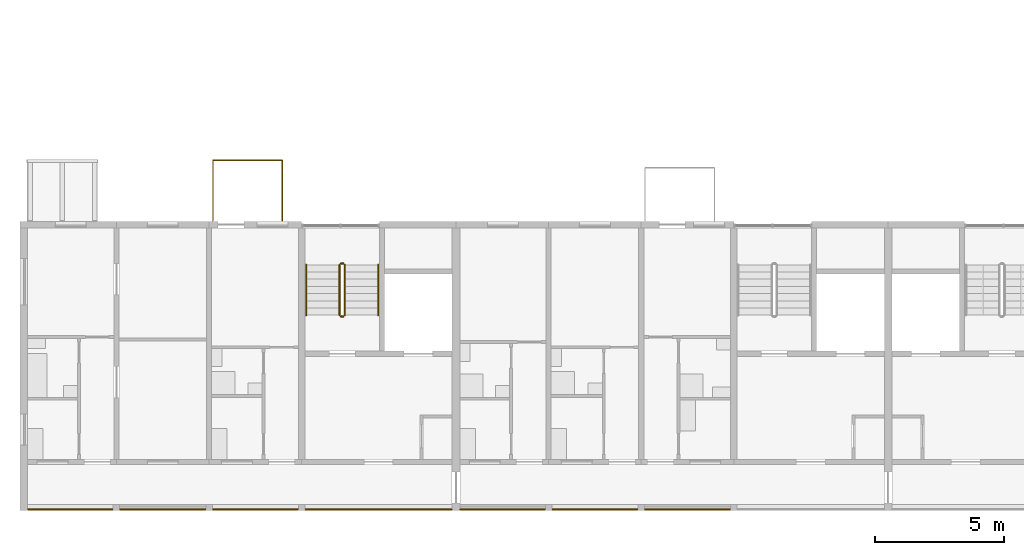
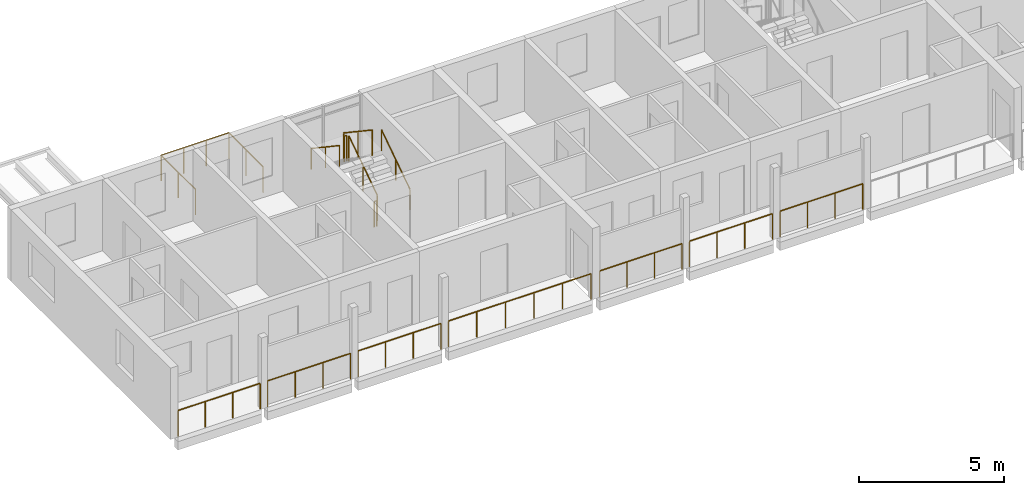
# One storey, part 72 of 94: 14 railings.
"""IFC4 building model written with IfcOpenShell, lengths in metres."""

from ifc_helpers import new_model, si_unit, direction, frame, origin, origin_2d, place, context, subcontext, project, spatial, circle, extrude, material, type_object, element, save


model = new_model("IFC4")

# Units and contexts
model_context = context("Model", 3, precision=1e-05, world=origin(), true_north=direction((0.0, 1.0)))
body_context = subcontext(model_context, "Body", "Model", "MODEL_VIEW")
ifc_project = project(units=[si_unit("LENGTHUNIT", "METRE"), si_unit("AREAUNIT", "SQUARE_METRE"), si_unit("VOLUMEUNIT", "CUBIC_METRE"), si_unit("PLANEANGLEUNIT", "RADIAN"), si_unit("MASSUNIT", "GRAM", prefix="KILO")], contexts=[model_context])

# Site, building, storey
site_placement = place(None, origin())
site = spatial("IfcSite", under=ifc_project, at=site_placement, CompositionType="ELEMENT")
building_placement = place(site_placement, origin())
building = spatial("IfcBuilding", under=site, at=building_placement, Name="Ridgestep Commons", CompositionType="ELEMENT")
storey_placement = place(building_placement, frame((0.0, 0.0, 21.0)))
storey = spatial("IfcBuildingStorey", under=building, at=storey_placement, Name="L07", CompositionType="ELEMENT", Elevation=21.0)

# Railings
ifc_material_1 = material(Name="Structural steel S355JR", Category="steel")
railing_type_1 = type_object("IfcRailingType", Name="Guard 1100", PredefinedType="GUARDRAIL", material=ifc_material_1)
railing_1_placement = place(storey_placement, frame((12.1708984375, 11.800048828125, 0.0)))
element("IfcRailing", 1, at=railing_1_placement, inside=storey, type_object=railing_type_1, Name="Gallery guard A 07.1", PredefinedType="GUARDRAIL", context=body_context, shape_type="SweptSolid", body=[
    extrude(circle(Radius=0.02392578125, at=origin_2d()), frame((0.0, 0.0, 1.076171875), z_axis=(1.0, 0.0, 0.0), x_axis=(0.0, 1.0, 0.0)), (0.0, 0.0, 1.0), 3.283203125),
    extrude(circle(Radius=0.02099609375, at=origin_2d()), origin(), (0.0, 0.0, 1.0), 1.052001953125),
    extrude(circle(Radius=0.02099609375, at=origin_2d()), frame((1.094482421875, 0.0, 0.0)), (0.0, 0.0, 1.0), 1.052001953125),
    extrude(circle(Radius=0.02099609375, at=origin_2d()), frame((2.188720703125, 0.0, 0.0)), (0.0, 0.0, 1.0), 1.052001953125),
    extrude(circle(Radius=0.02099609375, at=origin_2d()), frame((3.283203125, 0.0, 0.0)), (0.0, 0.0, 1.0), 1.052001953125),
])
railing_2_placement = place(storey_placement, frame((15.74609375, 11.800048828125, 0.0)))
element("IfcRailing", 2, at=railing_2_placement, inside=storey, type_object=railing_type_1, Name="Gallery guard A 07.2", PredefinedType="GUARDRAIL", context=body_context, shape_type="SweptSolid", body=[
    extrude(circle(Radius=0.02392578125, at=origin_2d()), frame((0.0, 0.0, 1.076171875), z_axis=(1.0, 0.0, 0.0), x_axis=(0.0, 1.0, 0.0)), (0.0, 0.0, 1.0), 3.307861328125),
    extrude(circle(Radius=0.02099609375, at=origin_2d()), origin(), (0.0, 0.0, 1.0), 1.052001953125),
    extrude(circle(Radius=0.02099609375, at=origin_2d()), frame((1.1025390625, 0.0, 0.0)), (0.0, 0.0, 1.0), 1.052001953125),
    extrude(circle(Radius=0.02099609375, at=origin_2d()), frame((2.205322265625, 0.0, 0.0)), (0.0, 0.0, 1.0), 1.052001953125),
    extrude(circle(Radius=0.02099609375, at=origin_2d()), frame((3.307861328125, 0.0, 0.0)), (0.0, 0.0, 1.0), 1.052001953125),
])
railing_3_placement = place(storey_placement, frame((19.345947265625, 11.800048828125, 0.0)))
element("IfcRailing", 3, at=railing_3_placement, inside=storey, type_object=railing_type_1, Name="Gallery guard A 07.3", PredefinedType="GUARDRAIL", context=body_context, shape_type="SweptSolid", body=[
    extrude(circle(Radius=0.02392578125, at=origin_2d()), frame((0.0, 0.0, 1.076171875), z_axis=(1.0, 0.0, 0.0), x_axis=(0.0, 1.0, 0.0)), (0.0, 0.0, 1.0), 3.30810546875),
    extrude(circle(Radius=0.02099609375, at=origin_2d()), origin(), (0.0, 0.0, 1.0), 1.052001953125),
    extrude(circle(Radius=0.02099609375, at=origin_2d()), frame((1.102783203125, 0.0, 0.0)), (0.0, 0.0, 1.0), 1.052001953125),
    extrude(circle(Radius=0.02099609375, at=origin_2d()), frame((2.205322265625, 0.0, 0.0)), (0.0, 0.0, 1.0), 1.052001953125),
    extrude(circle(Radius=0.02099609375, at=origin_2d()), frame((3.30810546875, 0.0, 0.0)), (0.0, 0.0, 1.0), 1.052001953125),
])
railing_4_placement = place(storey_placement, frame((22.946044921875, 11.800048828125, 0.0)))
element("IfcRailing", 4, at=railing_4_placement, inside=storey, type_object=railing_type_1, Name="Gallery guard A 07.4", PredefinedType="GUARDRAIL", context=body_context, shape_type="SweptSolid", body=[
    extrude(circle(Radius=0.02392578125, at=origin_2d()), frame((0.0, 0.0, 1.076171875), z_axis=(1.0, 0.0, 0.0), x_axis=(0.0, 1.0, 0.0)), (0.0, 0.0, 1.0), 5.682861328125),
    extrude(circle(Radius=0.02099609375, at=origin_2d()), origin(), (0.0, 0.0, 1.0), 1.052001953125),
    extrude(circle(Radius=0.02099609375, at=origin_2d()), frame((1.136474609375, 0.0, 0.0)), (0.0, 0.0, 1.0), 1.052001953125),
    extrude(circle(Radius=0.02099609375, at=origin_2d()), frame((2.273193359375, 0.0, 0.0)), (0.0, 0.0, 1.0), 1.052001953125),
    extrude(circle(Radius=0.02099609375, at=origin_2d()), frame((3.40966796875, 0.0, 0.0)), (0.0, 0.0, 1.0), 1.052001953125),
    extrude(circle(Radius=0.02099609375, at=origin_2d()), frame((4.54638671875, 0.0, 0.0)), (0.0, 0.0, 1.0), 1.052001953125),
    extrude(circle(Radius=0.02099609375, at=origin_2d()), frame((5.682861328125, 0.0, 0.0)), (0.0, 0.0, 1.0), 1.052001953125),
])
railing_5_placement = place(storey_placement, frame((28.970947265625, 11.800048828125, 0.0)))
element("IfcRailing", 5, at=railing_5_placement, inside=storey, type_object=railing_type_1, Name="Gallery guard A 07.5", PredefinedType="GUARDRAIL", context=body_context, shape_type="SweptSolid", body=[
    extrude(circle(Radius=0.02392578125, at=origin_2d()), frame((0.0, 0.0, 1.076171875), z_axis=(1.0, 0.0, 0.0), x_axis=(0.0, 1.0, 0.0)), (0.0, 0.0, 1.0), 3.282958984375),
    extrude(circle(Radius=0.02099609375, at=origin_2d()), origin(), (0.0, 0.0, 1.0), 1.052001953125),
    extrude(circle(Radius=0.02099609375, at=origin_2d()), frame((1.09423828125, 0.0, 0.0)), (0.0, 0.0, 1.0), 1.052001953125),
    extrude(circle(Radius=0.02099609375, at=origin_2d()), frame((2.188720703125, 0.0, 0.0)), (0.0, 0.0, 1.0), 1.052001953125),
    extrude(circle(Radius=0.02099609375, at=origin_2d()), frame((3.282958984375, 0.0, 0.0)), (0.0, 0.0, 1.0), 1.052001953125),
])
for number, where, name in (
    (6, (32.5458984375, 11.800048828125, 0.0), "Gallery guard A 07.6"),
    (7, (36.14599609375, 11.800048828125, 0.0), "Gallery guard A 07.7"),
):
    element("IfcRailing", number, at=place(storey_placement, frame(where)), inside=storey, type_object=railing_type_1, Name=name, PredefinedType="GUARDRAIL", context=body_context, shape_type="SweptSolid", body=[
        extrude(circle(Radius=0.02392578125, at=origin_2d()), frame((0.0, 0.0, 1.076171875), z_axis=(1.0, 0.0, 0.0), x_axis=(0.0, 1.0, 0.0)), (0.0, 0.0, 1.0), 3.30810546875),
        extrude(circle(Radius=0.02099609375, at=origin_2d()), origin(), (0.0, 0.0, 1.0), 1.052001953125),
        extrude(circle(Radius=0.02099609375, at=origin_2d()), frame((1.102783203125, 0.0, 0.0)), (0.0, 0.0, 1.0), 1.052001953125),
        extrude(circle(Radius=0.02099609375, at=origin_2d()), frame((2.205322265625, 0.0, 0.0)), (0.0, 0.0, 1.0), 1.052001953125),
        extrude(circle(Radius=0.02099609375, at=origin_2d()), frame((3.30810546875, 0.0, 0.0)), (0.0, 0.0, 1.0), 1.052001953125),
    ])
ifc_material_2 = material(Name="Structural steel S355JR", Category="steel")
railing_type_2 = type_object("IfcRailingType", Name="Stair guard 1100", PredefinedType="GUARDRAIL", material=ifc_material_2)
railing_6_placement = place(storey_placement, frame((24.47509765625, 19.35009765625, 0.1875)))
element("IfcRailing", 8, at=railing_6_placement, inside=storey, type_object=railing_type_2, Name="L07 A1C stair guard 1", PredefinedType="GUARDRAIL", context=body_context, shape_type="SweptSolid", body=[
    extrude(circle(Radius=0.02392578125, at=origin_2d()), frame((0.0, 0.0, 1.076171875), z_axis=(0.0, 0.830902050051, 0.556418712142), x_axis=(-1.0, 0.0, 0.0)), (0.0, 0.0, 1.0), 2.35888671875),
    extrude(circle(Radius=0.02099609375, at=origin_2d()), origin(), (0.0, 0.0, 1.0), 1.052001953125),
    extrude(circle(Radius=0.02099609375, at=origin_2d()), frame((0.0, 0.97998046875, 0.65625)), (0.0, 0.0, 1.0), 1.052001953125),
    extrude(circle(Radius=0.02099609375, at=origin_2d()), frame((0.0, 1.9599609375, 1.3125)), (0.0, 0.0, 1.0), 1.052001953125),
])
railing_7_placement = place(storey_placement, frame((24.425048828125, 21.360107421875, 1.5)))
element("IfcRailing", 9, at=railing_7_placement, inside=storey, type_object=railing_type_2, Name="L07 A1C stair guard 2", PredefinedType="GUARDRAIL", context=body_context, shape_type="SweptSolid", body=[
    extrude(circle(Radius=0.02392578125, at=origin_2d()), frame((0.0, 0.0, 1.076171875), z_axis=(-1.0, 0.0, 0.0), x_axis=(0.0, -1.0, 0.0)), (0.0, 0.0, 1.0), 0.10009765625),
    extrude(circle(Radius=0.02099609375, at=origin_2d()), origin(), (0.0, 0.0, 1.0), 1.052001953125),
    extrude(circle(Radius=0.02099609375, at=origin_2d()), frame((-0.10009765625, 0.0, 0.0)), (0.0, 0.0, 1.0), 1.052001953125),
])
railing_8_placement = place(storey_placement, frame((24.27490234375, 21.31005859375, 1.6875)))
element("IfcRailing", 10, at=railing_8_placement, inside=storey, type_object=railing_type_2, Name="L07 A1C stair guard 3", PredefinedType="GUARDRAIL", context=body_context, shape_type="SweptSolid", body=[
    extrude(circle(Radius=0.02392578125, at=origin_2d()), frame((0.0, 0.0, 1.076171875), z_axis=(0.0, -0.830902050051, 0.556418712142), x_axis=(1.0, 0.0, 0.0)), (0.0, 0.0, 1.0), 2.35888671875),
    extrude(circle(Radius=0.02099609375, at=origin_2d()), origin(), (0.0, 0.0, 1.0), 1.052001953125),
    extrude(circle(Radius=0.02099609375, at=origin_2d()), frame((0.0, -0.97998046875, 0.65625)), (0.0, 0.0, 1.0), 1.052001953125),
    extrude(circle(Radius=0.02099609375, at=origin_2d()), frame((0.0, -1.9599609375, 1.3125)), (0.0, 0.0, 1.0), 1.052001953125),
])
railing_9_placement = place(storey_placement, frame((24.425048828125, 19.300048828125, 0.0)))
element("IfcRailing", 11, at=railing_9_placement, inside=storey, type_object=railing_type_2, Name="L07 A1C stair guard 4", PredefinedType="GUARDRAIL", context=body_context, shape_type="SweptSolid", body=[
    extrude(circle(Radius=0.02392578125, at=origin_2d()), frame((0.0, 0.0, 1.076171875), z_axis=(-1.0, 0.0, 0.0), x_axis=(0.0, -1.0, 0.0)), (0.0, 0.0, 1.0), 0.10009765625),
    extrude(circle(Radius=0.02099609375, at=origin_2d()), origin(), (0.0, 0.0, 1.0), 1.052001953125),
    extrude(circle(Radius=0.02099609375, at=origin_2d()), frame((-0.10009765625, 0.0, 0.0)), (0.0, 0.0, 1.0), 1.052001953125),
])
ifc_material_3 = material(Name="Structural steel S355JR", Category="steel")
railing_type_3 = type_object("IfcRailingType", Name="Stair handrail 900", PredefinedType="HANDRAIL", material=ifc_material_3)
railing_10_placement = place(storey_placement, frame((25.77490234375, 19.35009765625, 0.1875)))
element("IfcRailing", 12, at=railing_10_placement, inside=storey, type_object=railing_type_3, Name="L07 A1C stair handrail 1", PredefinedType="HANDRAIL", context=body_context, shape_type="SweptSolid", body=[
    extrude(circle(Radius=0.02392578125, at=origin_2d()), frame((0.0, 0.0, 0.8759765625), z_axis=(0.0, 0.830902050051, 0.556418712142), x_axis=(-1.0, 0.0, 0.0)), (0.0, 0.0, 1.0), 2.35888671875),
    extrude(circle(Radius=0.02099609375, at=origin_2d()), origin(), (0.0, 0.0, 1.0), 0.851806640625),
    extrude(circle(Radius=0.02099609375, at=origin_2d()), frame((0.0, 0.97998046875, 0.65625)), (0.0, 0.0, 1.0), 0.851806640625),
    extrude(circle(Radius=0.02099609375, at=origin_2d()), frame((0.0, 1.9599609375, 1.3125)), (0.0, 0.0, 1.0), 0.851806640625),
])
railing_11_placement = place(storey_placement, frame((22.97509765625, 21.31005859375, 1.6875)))
element("IfcRailing", 13, at=railing_11_placement, inside=storey, type_object=railing_type_3, Name="L07 A1C stair handrail 2", PredefinedType="HANDRAIL", context=body_context, shape_type="SweptSolid", body=[
    extrude(circle(Radius=0.02392578125, at=origin_2d()), frame((0.0, 0.0, 0.8759765625), z_axis=(0.0, -0.830902050051, 0.556418712142), x_axis=(1.0, 0.0, 0.0)), (0.0, 0.0, 1.0), 2.35888671875),
    extrude(circle(Radius=0.02099609375, at=origin_2d()), origin(), (0.0, 0.0, 1.0), 0.851806640625),
    extrude(circle(Radius=0.02099609375, at=origin_2d()), frame((0.0, -0.97998046875, 0.65625)), (0.0, 0.0, 1.0), 0.851806640625),
    extrude(circle(Radius=0.02099609375, at=origin_2d()), frame((0.0, -1.9599609375, 1.3125)), (0.0, 0.0, 1.0), 0.851806640625),
])
ifc_material_4 = material(Name="Weathering steel S355J2W", Category="steel")
railing_type_4 = type_object("IfcRailingType", Name="Tray guard 1100", PredefinedType="GUARDRAIL", material=ifc_material_4)
railing_12_placement = place(storey_placement, frame((19.35107421875, 23.02099609375, 0.0)))
element("IfcRailing", 14, at=railing_12_placement, inside=storey, type_object=railing_type_4, Name="Tray guard A1T3-07", PredefinedType="GUARDRAIL", context=body_context, shape_type="SweptSolid", body=[
    extrude(circle(Radius=0.02392578125, at=origin_2d()), frame((0.0, 0.0, 1.076171875), z_axis=(0.0, 1.0, 0.0), x_axis=(-1.0, 0.0, 0.0)), (0.0, 0.0, 1.0), 2.35791015625),
    extrude(circle(Radius=0.02392578125, at=origin_2d()), frame((0.0, 2.35791015625, 1.076171875), z_axis=(1.0, 0.0, 0.0), x_axis=(0.0, 1.0, 0.0)), (0.0, 0.0, 1.0), 2.697998046875),
    extrude(circle(Radius=0.02392578125, at=origin_2d()), frame((2.697998046875, 2.35791015625, 1.076171875), z_axis=(0.0, -1.0, 0.0), x_axis=(1.0, 0.0, 0.0)), (0.0, 0.0, 1.0), 2.35791015625),
    extrude(circle(Radius=0.02099609375, at=origin_2d()), origin(), (0.0, 0.0, 1.0), 1.052001953125),
    extrude(circle(Radius=0.02099609375, at=origin_2d()), frame((0.0, 1.178955078125, 0.0)), (0.0, 0.0, 1.0), 1.052001953125),
    extrude(circle(Radius=0.02099609375, at=origin_2d()), frame((0.0, 2.35791015625, 0.0)), (0.0, 0.0, 1.0), 1.052001953125),
    extrude(circle(Radius=0.02099609375, at=origin_2d()), frame((0.8994140625, 2.35791015625, 0.0)), (0.0, 0.0, 1.0), 1.052001953125),
    extrude(circle(Radius=0.02099609375, at=origin_2d()), frame((1.798583984375, 2.35791015625, 0.0)), (0.0, 0.0, 1.0), 1.052001953125),
    extrude(circle(Radius=0.02099609375, at=origin_2d()), frame((2.697998046875, 2.35791015625, 0.0)), (0.0, 0.0, 1.0), 1.052001953125),
    extrude(circle(Radius=0.02099609375, at=origin_2d()), frame((2.697998046875, 1.178955078125, 0.0)), (0.0, 0.0, 1.0), 1.052001953125),
    extrude(circle(Radius=0.02099609375, at=origin_2d()), frame((2.697998046875, 0.0, 0.0)), (0.0, 0.0, 1.0), 1.052001953125),
])

save(model, "model.ifc")
